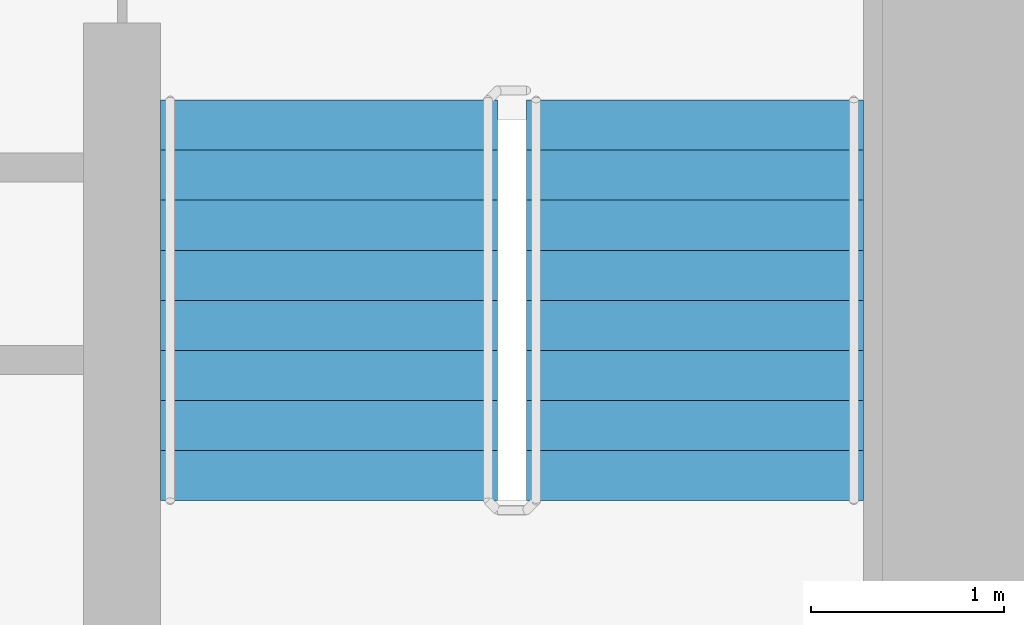
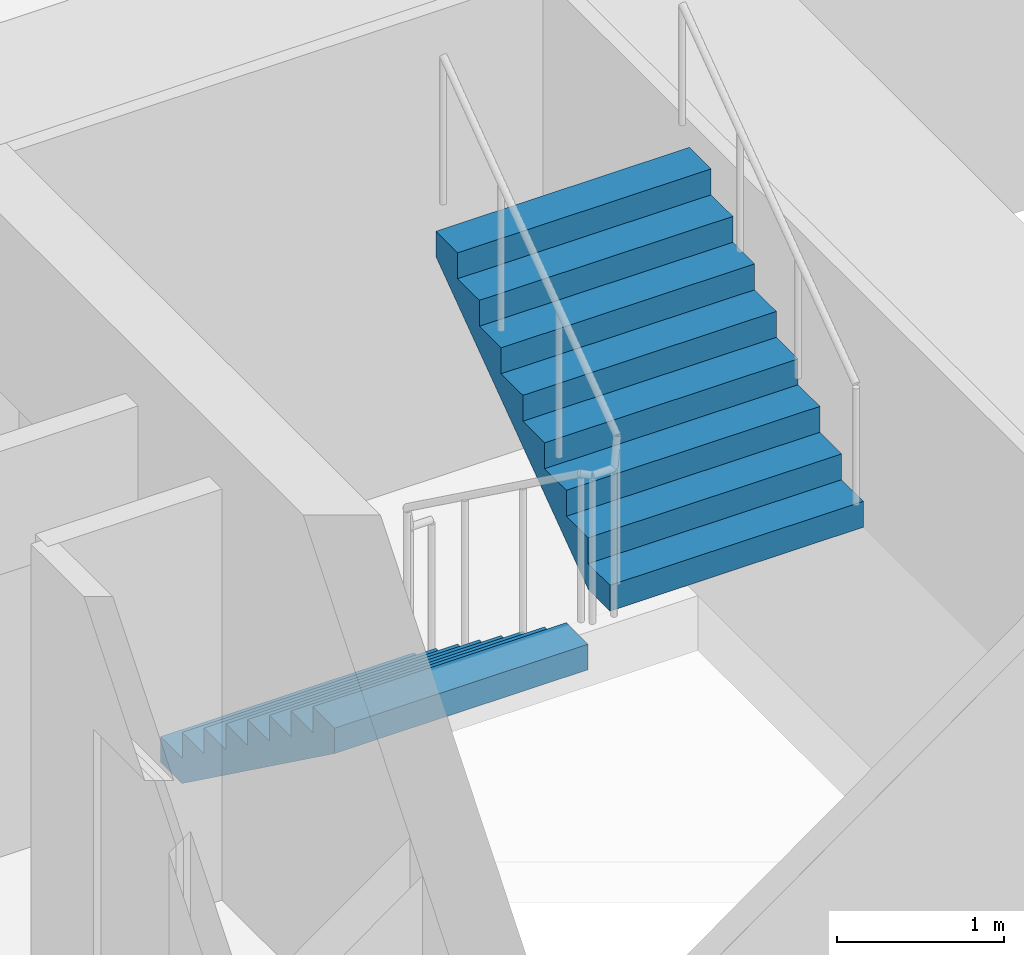
# One storey, part 19 of 22: 2 stair flights, 1 element without a shape of its own.
"""IFC4 building model written with IfcOpenShell, lengths in metres."""

from ifc_helpers import new_model, si_unit, direction, frame, origin, place, context, subcontext, project, spatial, faceted_brep, material, type_object, element, aggregate, save


model = new_model("IFC4")

# Units and contexts
model_context = context("Model", 3, precision=1e-05, world=origin(), true_north=direction((0.0, 1.0)))
body_context = subcontext(model_context, "Body", "Model", "MODEL_VIEW")
ifc_project = project(units=[si_unit("LENGTHUNIT", "METRE"), si_unit("AREAUNIT", "SQUARE_METRE"), si_unit("VOLUMEUNIT", "CUBIC_METRE"), si_unit("PLANEANGLEUNIT", "RADIAN"), si_unit("MASSUNIT", "GRAM", prefix="KILO")], contexts=[model_context])

# Site, building, storey
site_placement = place(None, origin())
site = spatial("IfcSite", under=ifc_project, at=site_placement, CompositionType="ELEMENT")
building_placement = place(site_placement, origin())
building = spatial("IfcBuilding", under=site, at=building_placement, Name="Ipe Terrace Towers", CompositionType="ELEMENT")
storey_placement = place(building_placement, frame((0.0, 0.0, 68.699951171875)))
storey = spatial("IfcBuildingStorey", under=building, at=storey_placement, Name="L18", CompositionType="ELEMENT", Elevation=68.699951171875)

# Stair, stair flights
ifc_material_1 = material(Name="Concrete C30/37", Category="concrete")
stair_type = type_object("IfcStairType", Name="Protected exit stair", PredefinedType="HALF_TURN_STAIR", material=ifc_material_1)
stair_placement = place(storey_placement, origin())
stair = element("IfcStair", 1, at=stair_placement, inside=storey, type_object=stair_type, Name="L18 Exit stair T2-C2", PredefinedType="HALF_TURN_STAIR")
ifc_material_2 = material(Name="Concrete C30/37", Category="concrete")
stair_flight_type = type_object("IfcStairFlightType", Name="Exit stair flight 1750", PredefinedType="STRAIGHT", material=ifc_material_2)
stair_flight_1_placement = place(storey_placement, frame((38.77490234375, -9.699951171875, 0.0), z_axis=(0.0, 0.0, 1.0), x_axis=(0.0, -1.0, 0.0)))
stair_flight_1 = element("IfcStairFlight", 2, at=stair_flight_1_placement, type_object=stair_flight_type, Name="T2-ST2 flight 1", NumberOfRisers=9, NumberOfTreads=8, PredefinedType="STRAIGHT", RiserHeight=0.188888889, TreadLength=0.26, context=body_context, shape_type="Brep", body=[
    faceted_brep([(0.255126953125, -0.875, 0.0), (2.080078125, -0.875, 1.325927734375), (2.080078125, -0.875, 1.51123046875), (1.820068359375, -0.875, 1.51123046875), (1.820068359375, -0.875, 1.322265625), (1.56005859375, -0.875, 1.322265625), (1.56005859375, -0.875, 1.13330078125), (1.300048828125, -0.875, 1.13330078125), (1.300048828125, -0.875, 0.9443359375), (1.0400390625, -0.875, 0.9443359375), (1.0400390625, -0.875, 0.755615234375), (0.780029296875, -0.875, 0.755615234375), (0.780029296875, -0.875, 0.566650390625), (0.52001953125, -0.875, 0.566650390625), (0.52001953125, -0.875, 0.377685546875), (0.260009765625, -0.875, 0.377685546875), (0.260009765625, -0.875, 0.18896484375), (0.0, -0.875, 0.18896484375), (0.0, -0.875, 0.0), (0.0, 0.875, 0.0), (0.0, 0.875, 0.18896484375), (0.260009765625, 0.875, 0.18896484375), (0.260009765625, 0.875, 0.377685546875), (0.52001953125, 0.875, 0.377685546875), (0.52001953125, 0.875, 0.566650390625), (0.780029296875, 0.875, 0.566650390625), (0.780029296875, 0.875, 0.755615234375), (1.0400390625, 0.875, 0.755615234375), (1.0400390625, 0.875, 0.9443359375), (1.300048828125, 0.875, 0.9443359375), (1.300048828125, 0.875, 1.13330078125), (1.56005859375, 0.875, 1.13330078125), (1.56005859375, 0.875, 1.322265625), (1.820068359375, 0.875, 1.322265625), (1.820068359375, 0.875, 1.51123046875), (2.080078125, 0.875, 1.51123046875), (2.080078125, 0.875, 1.325927734375), (0.255126953125, 0.875, 0.0), (0.0, -0.300048828125, 0.18896484375), (0.0, -0.1201171875, 0.18896484375), (0.0, -0.06005859375, 0.18896484375), (0.0, -0.030029296875, 0.18896484375), (0.0, -0.010009765625, 0.18896484375), (0.0, 0.0, 0.18896484375), (0.0, 0.010009765625, 0.18896484375), (0.0, 0.030029296875, 0.18896484375), (0.0, 0.06005859375, 0.18896484375), (0.0, 0.1201171875, 0.18896484375), (0.0, 0.300048828125, 0.18896484375), (0.0, 0.300048828125, 0.0), (0.0, 0.1201171875, 0.0), (0.0, 0.06005859375, 0.0), (0.0, 0.030029296875, 0.0), (0.0, 0.010009765625, 0.0), (0.0, 0.0, 0.0), (0.0, -0.010009765625, 0.0), (0.0, -0.030029296875, 0.0), (0.0, -0.06005859375, 0.0), (0.0, -0.1201171875, 0.0), (0.0, -0.300048828125, 0.0), (0.260009765625, -0.300048828125, 0.18896484375), (0.260009765625, -0.1201171875, 0.18896484375), (0.260009765625, -0.06005859375, 0.18896484375), (0.260009765625, -0.030029296875, 0.18896484375), (0.260009765625, -0.010009765625, 0.18896484375), (0.260009765625, 0.0, 0.18896484375), (0.260009765625, 0.010009765625, 0.18896484375), (0.260009765625, 0.030029296875, 0.18896484375), (0.260009765625, 0.06005859375, 0.18896484375), (0.260009765625, 0.1201171875, 0.18896484375), (0.260009765625, 0.300048828125, 0.18896484375), (0.260009765625, -0.300048828125, 0.377685546875), (0.260009765625, -0.1201171875, 0.377685546875), (0.260009765625, -0.06005859375, 0.377685546875), (0.260009765625, -0.030029296875, 0.377685546875), (0.260009765625, -0.010009765625, 0.377685546875), (0.260009765625, 0.0, 0.377685546875), (0.260009765625, 0.010009765625, 0.377685546875), (0.260009765625, 0.030029296875, 0.377685546875), (0.260009765625, 0.06005859375, 0.377685546875), (0.260009765625, 0.1201171875, 0.377685546875), (0.260009765625, 0.300048828125, 0.377685546875), (0.52001953125, -0.300048828125, 0.377685546875), (0.52001953125, -0.1201171875, 0.377685546875), (0.52001953125, -0.06005859375, 0.377685546875), (0.52001953125, -0.030029296875, 0.377685546875), (0.52001953125, -0.010009765625, 0.377685546875), (0.52001953125, 0.0, 0.377685546875), (0.52001953125, 0.010009765625, 0.377685546875), (0.52001953125, 0.030029296875, 0.377685546875), (0.52001953125, 0.06005859375, 0.377685546875), (0.52001953125, 0.1201171875, 0.377685546875), (0.52001953125, 0.300048828125, 0.377685546875), (0.52001953125, -0.300048828125, 0.566650390625), (0.52001953125, -0.1201171875, 0.566650390625), (0.52001953125, -0.06005859375, 0.566650390625), (0.52001953125, -0.030029296875, 0.566650390625), (0.52001953125, -0.010009765625, 0.566650390625), (0.52001953125, 0.0, 0.566650390625), (0.52001953125, 0.010009765625, 0.566650390625), (0.52001953125, 0.030029296875, 0.566650390625), (0.52001953125, 0.06005859375, 0.566650390625), (0.52001953125, 0.1201171875, 0.566650390625), (0.52001953125, 0.300048828125, 0.566650390625), (0.780029296875, -0.300048828125, 0.566650390625), (0.780029296875, -0.1201171875, 0.566650390625), (0.780029296875, -0.06005859375, 0.566650390625), (0.780029296875, -0.030029296875, 0.566650390625), (0.780029296875, -0.010009765625, 0.566650390625), (0.780029296875, 0.0, 0.566650390625), (0.780029296875, 0.010009765625, 0.566650390625), (0.780029296875, 0.030029296875, 0.566650390625), (0.780029296875, 0.06005859375, 0.566650390625), (0.780029296875, 0.1201171875, 0.566650390625), (0.780029296875, 0.300048828125, 0.566650390625), (0.780029296875, -0.300048828125, 0.755615234375), (0.780029296875, -0.1201171875, 0.755615234375), (0.780029296875, -0.06005859375, 0.755615234375), (0.780029296875, -0.030029296875, 0.755615234375), (0.780029296875, -0.010009765625, 0.755615234375), (0.780029296875, 0.0, 0.755615234375), (0.780029296875, 0.010009765625, 0.755615234375), (0.780029296875, 0.030029296875, 0.755615234375), (0.780029296875, 0.06005859375, 0.755615234375), (0.780029296875, 0.1201171875, 0.755615234375), (0.780029296875, 0.300048828125, 0.755615234375), (1.0400390625, -0.300048828125, 0.755615234375), (1.0400390625, -0.1201171875, 0.755615234375), (1.0400390625, -0.06005859375, 0.755615234375), (1.0400390625, -0.030029296875, 0.755615234375), (1.0400390625, -0.010009765625, 0.755615234375), (1.0400390625, 0.0, 0.755615234375), (1.0400390625, 0.010009765625, 0.755615234375), (1.0400390625, 0.030029296875, 0.755615234375), (1.0400390625, 0.06005859375, 0.755615234375), (1.0400390625, 0.1201171875, 0.755615234375), (1.0400390625, 0.300048828125, 0.755615234375), (1.0400390625, -0.300048828125, 0.9443359375), (1.0400390625, -0.1201171875, 0.9443359375), (1.0400390625, -0.06005859375, 0.9443359375), (1.0400390625, -0.030029296875, 0.9443359375), (1.0400390625, -0.010009765625, 0.9443359375), (1.0400390625, 0.0, 0.9443359375), (1.0400390625, 0.010009765625, 0.9443359375), (1.0400390625, 0.030029296875, 0.9443359375), (1.0400390625, 0.06005859375, 0.9443359375), (1.0400390625, 0.1201171875, 0.9443359375), (1.0400390625, 0.300048828125, 0.9443359375), (1.300048828125, -0.300048828125, 0.9443359375), (1.300048828125, -0.1201171875, 0.9443359375), (1.300048828125, -0.06005859375, 0.9443359375), (1.300048828125, -0.030029296875, 0.9443359375), (1.300048828125, -0.010009765625, 0.9443359375), (1.300048828125, 0.0, 0.9443359375), (1.300048828125, 0.010009765625, 0.9443359375), (1.300048828125, 0.030029296875, 0.9443359375), (1.300048828125, 0.06005859375, 0.9443359375), (1.300048828125, 0.1201171875, 0.9443359375), (1.300048828125, 0.300048828125, 0.9443359375), (1.300048828125, -0.300048828125, 1.13330078125), (1.300048828125, -0.1201171875, 1.13330078125), (1.300048828125, -0.06005859375, 1.13330078125), (1.300048828125, -0.030029296875, 1.13330078125), (1.300048828125, -0.010009765625, 1.13330078125), (1.300048828125, 0.0, 1.13330078125), (1.300048828125, 0.010009765625, 1.13330078125), (1.300048828125, 0.030029296875, 1.13330078125), (1.300048828125, 0.06005859375, 1.13330078125), (1.300048828125, 0.1201171875, 1.13330078125), (1.300048828125, 0.300048828125, 1.13330078125), (1.56005859375, -0.300048828125, 1.13330078125), (1.56005859375, -0.1201171875, 1.13330078125), (1.56005859375, -0.06005859375, 1.13330078125), (1.56005859375, -0.030029296875, 1.13330078125), (1.56005859375, -0.010009765625, 1.13330078125), (1.56005859375, 0.0, 1.13330078125), (1.56005859375, 0.010009765625, 1.13330078125), (1.56005859375, 0.030029296875, 1.13330078125), (1.56005859375, 0.06005859375, 1.13330078125), (1.56005859375, 0.1201171875, 1.13330078125), (1.56005859375, 0.300048828125, 1.13330078125), (1.56005859375, -0.300048828125, 1.322265625), (1.56005859375, -0.1201171875, 1.322265625), (1.56005859375, -0.06005859375, 1.322265625), (1.56005859375, -0.030029296875, 1.322265625), (1.56005859375, -0.010009765625, 1.322265625), (1.56005859375, 0.0, 1.322265625), (1.56005859375, 0.010009765625, 1.322265625), (1.56005859375, 0.030029296875, 1.322265625), (1.56005859375, 0.06005859375, 1.322265625), (1.56005859375, 0.1201171875, 1.322265625), (1.56005859375, 0.300048828125, 1.322265625), (1.820068359375, -0.300048828125, 1.322265625), (1.820068359375, -0.1201171875, 1.322265625), (1.820068359375, -0.06005859375, 1.322265625), (1.820068359375, -0.030029296875, 1.322265625), (1.820068359375, -0.010009765625, 1.322265625), (1.820068359375, 0.0, 1.322265625), (1.820068359375, 0.010009765625, 1.322265625), (1.820068359375, 0.030029296875, 1.322265625), (1.820068359375, 0.06005859375, 1.322265625), (1.820068359375, 0.1201171875, 1.322265625), (1.820068359375, 0.300048828125, 1.322265625), (1.820068359375, -0.300048828125, 1.51123046875), (1.820068359375, -0.1201171875, 1.51123046875), (1.820068359375, -0.06005859375, 1.51123046875), (1.820068359375, -0.030029296875, 1.51123046875), (1.820068359375, -0.010009765625, 1.51123046875), (1.820068359375, 0.0, 1.51123046875), (1.820068359375, 0.010009765625, 1.51123046875), (1.820068359375, 0.030029296875, 1.51123046875), (1.820068359375, 0.06005859375, 1.51123046875), (1.820068359375, 0.1201171875, 1.51123046875), (1.820068359375, 0.300048828125, 1.51123046875), (2.080078125, -0.300048828125, 1.51123046875), (2.080078125, -0.1201171875, 1.51123046875), (2.080078125, -0.06005859375, 1.51123046875), (2.080078125, -0.030029296875, 1.51123046875), (2.080078125, -0.010009765625, 1.51123046875), (2.080078125, 0.0, 1.51123046875), (2.080078125, 0.010009765625, 1.51123046875), (2.080078125, 0.030029296875, 1.51123046875), (2.080078125, 0.06005859375, 1.51123046875), (2.080078125, 0.1201171875, 1.51123046875), (2.080078125, 0.300048828125, 1.51123046875), (2.080078125, -0.300048828125, 1.325927734375), (2.080078125, -0.1201171875, 1.325927734375), (2.080078125, -0.06005859375, 1.325927734375), (2.080078125, -0.030029296875, 1.325927734375), (2.080078125, -0.010009765625, 1.325927734375), (2.080078125, 0.0, 1.325927734375), (2.080078125, 0.010009765625, 1.325927734375), (2.080078125, 0.030029296875, 1.325927734375), (2.080078125, 0.06005859375, 1.325927734375), (2.080078125, 0.1201171875, 1.325927734375), (2.080078125, 0.300048828125, 1.325927734375), (0.255126953125, -0.300048828125, 0.0), (0.255126953125, -0.1201171875, 0.0), (0.255126953125, -0.06005859375, 0.0), (0.255126953125, -0.030029296875, 0.0), (0.255126953125, -0.010009765625, 0.0), (0.255126953125, 0.0, 0.0), (0.255126953125, 0.010009765625, 0.0), (0.255126953125, 0.030029296875, 0.0), (0.255126953125, 0.06005859375, 0.0), (0.255126953125, 0.1201171875, 0.0), (0.255126953125, 0.300048828125, 0.0)], [[[0, 1, 2, 3, 4, 5, 6, 7, 8, 9, 10, 11, 12, 13, 14, 15, 16, 17, 18]], [[19, 20, 21, 22, 23, 24, 25, 26, 27, 28, 29, 30, 31, 32, 33, 34, 35, 36, 37]], [[17, 38, 39, 40, 41, 42, 43, 44, 45, 46, 47, 48, 20, 19, 49, 50, 51, 52, 53, 54, 55, 56, 57, 58, 59, 18]], [[16, 60, 61, 62, 63, 64, 65, 66, 67, 68, 69, 70, 21, 20, 48, 47, 46, 45, 44, 43, 42, 41, 40, 39, 38, 17]], [[15, 71, 72, 73, 74, 75, 76, 77, 78, 79, 80, 81, 22, 21, 70, 69, 68, 67, 66, 65, 64, 63, 62, 61, 60, 16]], [[14, 82, 83, 84, 85, 86, 87, 88, 89, 90, 91, 92, 23, 22, 81, 80, 79, 78, 77, 76, 75, 74, 73, 72, 71, 15]], [[13, 93, 94, 95, 96, 97, 98, 99, 100, 101, 102, 103, 24, 23, 92, 91, 90, 89, 88, 87, 86, 85, 84, 83, 82, 14]], [[12, 104, 105, 106, 107, 108, 109, 110, 111, 112, 113, 114, 25, 24, 103, 102, 101, 100, 99, 98, 97, 96, 95, 94, 93, 13]], [[11, 115, 116, 117, 118, 119, 120, 121, 122, 123, 124, 125, 26, 25, 114, 113, 112, 111, 110, 109, 108, 107, 106, 105, 104, 12]], [[10, 126, 127, 128, 129, 130, 131, 132, 133, 134, 135, 136, 27, 26, 125, 124, 123, 122, 121, 120, 119, 118, 117, 116, 115, 11]], [[9, 137, 138, 139, 140, 141, 142, 143, 144, 145, 146, 147, 28, 27, 136, 135, 134, 133, 132, 131, 130, 129, 128, 127, 126, 10]], [[8, 148, 149, 150, 151, 152, 153, 154, 155, 156, 157, 158, 29, 28, 147, 146, 145, 144, 143, 142, 141, 140, 139, 138, 137, 9]], [[7, 159, 160, 161, 162, 163, 164, 165, 166, 167, 168, 169, 30, 29, 158, 157, 156, 155, 154, 153, 152, 151, 150, 149, 148, 8]], [[6, 170, 171, 172, 173, 174, 175, 176, 177, 178, 179, 180, 31, 30, 169, 168, 167, 166, 165, 164, 163, 162, 161, 160, 159, 7]], [[5, 181, 182, 183, 184, 185, 186, 187, 188, 189, 190, 191, 32, 31, 180, 179, 178, 177, 176, 175, 174, 173, 172, 171, 170, 6]], [[4, 192, 193, 194, 195, 196, 197, 198, 199, 200, 201, 202, 33, 32, 191, 190, 189, 188, 187, 186, 185, 184, 183, 182, 181, 5]], [[3, 203, 204, 205, 206, 207, 208, 209, 210, 211, 212, 213, 34, 33, 202, 201, 200, 199, 198, 197, 196, 195, 194, 193, 192, 4]], [[2, 214, 215, 216, 217, 218, 219, 220, 221, 222, 223, 224, 35, 34, 213, 212, 211, 210, 209, 208, 207, 206, 205, 204, 203, 3]], [[1, 225, 226, 227, 228, 229, 230, 231, 232, 233, 234, 235, 36, 35, 224, 223, 222, 221, 220, 219, 218, 217, 216, 215, 214, 2]], [[0, 236, 237, 238, 239, 240, 241, 242, 243, 244, 245, 246, 37, 36, 235, 234, 233, 232, 231, 230, 229, 228, 227, 226, 225, 1]], [[18, 59, 58, 57, 56, 55, 54, 53, 52, 51, 50, 49, 19, 37, 246, 245, 244, 243, 242, 241, 240, 239, 238, 237, 236, 0]]]),
])
stair_flight_2_placement = place(storey_placement, frame((40.675048828125, -11.780029296875, 1.699951171875), z_axis=(0.0, 0.0, 1.0), x_axis=(0.0, 1.0, 0.0)))
stair_flight_2 = element("IfcStairFlight", 3, at=stair_flight_2_placement, type_object=stair_flight_type, Name="T2-ST2 flight 2", NumberOfRisers=9, NumberOfTreads=8, PredefinedType="STRAIGHT", RiserHeight=0.188888889, TreadLength=0.26, context=body_context, shape_type="Brep", body=[
    faceted_brep([(0.255126953125, -0.875, 0.0), (2.080078125, -0.875, 1.325927734375), (2.080078125, -0.875, 1.51123046875), (1.820068359375, -0.875, 1.51123046875), (1.820068359375, -0.875, 1.322265625), (1.56005859375, -0.875, 1.322265625), (1.56005859375, -0.875, 1.13330078125), (1.300048828125, -0.875, 1.13330078125), (1.300048828125, -0.875, 0.9443359375), (1.0400390625, -0.875, 0.9443359375), (1.0400390625, -0.875, 0.755615234375), (0.780029296875, -0.875, 0.755615234375), (0.780029296875, -0.875, 0.566650390625), (0.52001953125, -0.875, 0.566650390625), (0.52001953125, -0.875, 0.377685546875), (0.260009765625, -0.875, 0.377685546875), (0.260009765625, -0.875, 0.18896484375), (0.0, -0.875, 0.18896484375), (0.0, -0.875, 0.0), (0.0, 0.875, 0.0), (0.0, 0.875, 0.18896484375), (0.260009765625, 0.875, 0.18896484375), (0.260009765625, 0.875, 0.377685546875), (0.52001953125, 0.875, 0.377685546875), (0.52001953125, 0.875, 0.566650390625), (0.780029296875, 0.875, 0.566650390625), (0.780029296875, 0.875, 0.755615234375), (1.0400390625, 0.875, 0.755615234375), (1.0400390625, 0.875, 0.9443359375), (1.300048828125, 0.875, 0.9443359375), (1.300048828125, 0.875, 1.13330078125), (1.56005859375, 0.875, 1.13330078125), (1.56005859375, 0.875, 1.322265625), (1.820068359375, 0.875, 1.322265625), (1.820068359375, 0.875, 1.51123046875), (2.080078125, 0.875, 1.51123046875), (2.080078125, 0.875, 1.325927734375), (0.255126953125, 0.875, 0.0), (0.0, -0.300048828125, 0.18896484375), (0.0, -0.1201171875, 0.18896484375), (0.0, -0.06005859375, 0.18896484375), (0.0, -0.030029296875, 0.18896484375), (0.0, -0.010009765625, 0.18896484375), (0.0, 0.0, 0.18896484375), (0.0, 0.010009765625, 0.18896484375), (0.0, 0.030029296875, 0.18896484375), (0.0, 0.06005859375, 0.18896484375), (0.0, 0.1201171875, 0.18896484375), (0.0, 0.300048828125, 0.18896484375), (0.0, 0.300048828125, 0.0), (0.0, 0.1201171875, 0.0), (0.0, 0.06005859375, 0.0), (0.0, 0.030029296875, 0.0), (0.0, 0.010009765625, 0.0), (0.0, 0.0, 0.0), (0.0, -0.010009765625, 0.0), (0.0, -0.030029296875, 0.0), (0.0, -0.06005859375, 0.0), (0.0, -0.1201171875, 0.0), (0.0, -0.300048828125, 0.0), (0.260009765625, -0.300048828125, 0.18896484375), (0.260009765625, -0.1201171875, 0.18896484375), (0.260009765625, -0.06005859375, 0.18896484375), (0.260009765625, -0.030029296875, 0.18896484375), (0.260009765625, -0.010009765625, 0.18896484375), (0.260009765625, 0.0, 0.18896484375), (0.260009765625, 0.010009765625, 0.18896484375), (0.260009765625, 0.030029296875, 0.18896484375), (0.260009765625, 0.06005859375, 0.18896484375), (0.260009765625, 0.1201171875, 0.18896484375), (0.260009765625, 0.300048828125, 0.18896484375), (0.260009765625, -0.300048828125, 0.377685546875), (0.260009765625, -0.1201171875, 0.377685546875), (0.260009765625, -0.06005859375, 0.377685546875), (0.260009765625, -0.030029296875, 0.377685546875), (0.260009765625, -0.010009765625, 0.377685546875), (0.260009765625, 0.0, 0.377685546875), (0.260009765625, 0.010009765625, 0.377685546875), (0.260009765625, 0.030029296875, 0.377685546875), (0.260009765625, 0.06005859375, 0.377685546875), (0.260009765625, 0.1201171875, 0.377685546875), (0.260009765625, 0.300048828125, 0.377685546875), (0.52001953125, -0.300048828125, 0.377685546875), (0.52001953125, -0.1201171875, 0.377685546875), (0.52001953125, -0.06005859375, 0.377685546875), (0.52001953125, -0.030029296875, 0.377685546875), (0.52001953125, -0.010009765625, 0.377685546875), (0.52001953125, 0.0, 0.377685546875), (0.52001953125, 0.010009765625, 0.377685546875), (0.52001953125, 0.030029296875, 0.377685546875), (0.52001953125, 0.06005859375, 0.377685546875), (0.52001953125, 0.1201171875, 0.377685546875), (0.52001953125, 0.300048828125, 0.377685546875), (0.52001953125, -0.300048828125, 0.566650390625), (0.52001953125, -0.1201171875, 0.566650390625), (0.52001953125, -0.06005859375, 0.566650390625), (0.52001953125, -0.030029296875, 0.566650390625), (0.52001953125, -0.010009765625, 0.566650390625), (0.52001953125, 0.0, 0.566650390625), (0.52001953125, 0.010009765625, 0.566650390625), (0.52001953125, 0.030029296875, 0.566650390625), (0.52001953125, 0.06005859375, 0.566650390625), (0.52001953125, 0.1201171875, 0.566650390625), (0.52001953125, 0.300048828125, 0.566650390625), (0.780029296875, -0.300048828125, 0.566650390625), (0.780029296875, -0.1201171875, 0.566650390625), (0.780029296875, -0.06005859375, 0.566650390625), (0.780029296875, -0.030029296875, 0.566650390625), (0.780029296875, -0.010009765625, 0.566650390625), (0.780029296875, 0.0, 0.566650390625), (0.780029296875, 0.010009765625, 0.566650390625), (0.780029296875, 0.030029296875, 0.566650390625), (0.780029296875, 0.06005859375, 0.566650390625), (0.780029296875, 0.1201171875, 0.566650390625), (0.780029296875, 0.300048828125, 0.566650390625), (0.780029296875, -0.300048828125, 0.755615234375), (0.780029296875, -0.1201171875, 0.755615234375), (0.780029296875, -0.06005859375, 0.755615234375), (0.780029296875, -0.030029296875, 0.755615234375), (0.780029296875, -0.010009765625, 0.755615234375), (0.780029296875, 0.0, 0.755615234375), (0.780029296875, 0.010009765625, 0.755615234375), (0.780029296875, 0.030029296875, 0.755615234375), (0.780029296875, 0.06005859375, 0.755615234375), (0.780029296875, 0.1201171875, 0.755615234375), (0.780029296875, 0.300048828125, 0.755615234375), (1.0400390625, -0.300048828125, 0.755615234375), (1.0400390625, -0.1201171875, 0.755615234375), (1.0400390625, -0.06005859375, 0.755615234375), (1.0400390625, -0.030029296875, 0.755615234375), (1.0400390625, -0.010009765625, 0.755615234375), (1.0400390625, 0.0, 0.755615234375), (1.0400390625, 0.010009765625, 0.755615234375), (1.0400390625, 0.030029296875, 0.755615234375), (1.0400390625, 0.06005859375, 0.755615234375), (1.0400390625, 0.1201171875, 0.755615234375), (1.0400390625, 0.300048828125, 0.755615234375), (1.0400390625, -0.300048828125, 0.9443359375), (1.0400390625, -0.1201171875, 0.9443359375), (1.0400390625, -0.06005859375, 0.9443359375), (1.0400390625, -0.030029296875, 0.9443359375), (1.0400390625, -0.010009765625, 0.9443359375), (1.0400390625, 0.0, 0.9443359375), (1.0400390625, 0.010009765625, 0.9443359375), (1.0400390625, 0.030029296875, 0.9443359375), (1.0400390625, 0.06005859375, 0.9443359375), (1.0400390625, 0.1201171875, 0.9443359375), (1.0400390625, 0.300048828125, 0.9443359375), (1.300048828125, -0.300048828125, 0.9443359375), (1.300048828125, -0.1201171875, 0.9443359375), (1.300048828125, -0.06005859375, 0.9443359375), (1.300048828125, -0.030029296875, 0.9443359375), (1.300048828125, -0.010009765625, 0.9443359375), (1.300048828125, 0.0, 0.9443359375), (1.300048828125, 0.010009765625, 0.9443359375), (1.300048828125, 0.030029296875, 0.9443359375), (1.300048828125, 0.06005859375, 0.9443359375), (1.300048828125, 0.1201171875, 0.9443359375), (1.300048828125, 0.300048828125, 0.9443359375), (1.300048828125, -0.300048828125, 1.13330078125), (1.300048828125, -0.1201171875, 1.13330078125), (1.300048828125, -0.06005859375, 1.13330078125), (1.300048828125, -0.030029296875, 1.13330078125), (1.300048828125, -0.010009765625, 1.13330078125), (1.300048828125, 0.0, 1.13330078125), (1.300048828125, 0.010009765625, 1.13330078125), (1.300048828125, 0.030029296875, 1.13330078125), (1.300048828125, 0.06005859375, 1.13330078125), (1.300048828125, 0.1201171875, 1.13330078125), (1.300048828125, 0.300048828125, 1.13330078125), (1.56005859375, -0.300048828125, 1.13330078125), (1.56005859375, -0.1201171875, 1.13330078125), (1.56005859375, -0.06005859375, 1.13330078125), (1.56005859375, -0.030029296875, 1.13330078125), (1.56005859375, -0.010009765625, 1.13330078125), (1.56005859375, 0.0, 1.13330078125), (1.56005859375, 0.010009765625, 1.13330078125), (1.56005859375, 0.030029296875, 1.13330078125), (1.56005859375, 0.06005859375, 1.13330078125), (1.56005859375, 0.1201171875, 1.13330078125), (1.56005859375, 0.300048828125, 1.13330078125), (1.56005859375, -0.300048828125, 1.322265625), (1.56005859375, -0.1201171875, 1.322265625), (1.56005859375, -0.06005859375, 1.322265625), (1.56005859375, -0.030029296875, 1.322265625), (1.56005859375, -0.010009765625, 1.322265625), (1.56005859375, 0.0, 1.322265625), (1.56005859375, 0.010009765625, 1.322265625), (1.56005859375, 0.030029296875, 1.322265625), (1.56005859375, 0.06005859375, 1.322265625), (1.56005859375, 0.1201171875, 1.322265625), (1.56005859375, 0.300048828125, 1.322265625), (1.820068359375, -0.300048828125, 1.322265625), (1.820068359375, -0.1201171875, 1.322265625), (1.820068359375, -0.06005859375, 1.322265625), (1.820068359375, -0.030029296875, 1.322265625), (1.820068359375, -0.010009765625, 1.322265625), (1.820068359375, 0.0, 1.322265625), (1.820068359375, 0.010009765625, 1.322265625), (1.820068359375, 0.030029296875, 1.322265625), (1.820068359375, 0.06005859375, 1.322265625), (1.820068359375, 0.1201171875, 1.322265625), (1.820068359375, 0.300048828125, 1.322265625), (1.820068359375, -0.300048828125, 1.51123046875), (1.820068359375, -0.1201171875, 1.51123046875), (1.820068359375, -0.06005859375, 1.51123046875), (1.820068359375, -0.030029296875, 1.51123046875), (1.820068359375, -0.010009765625, 1.51123046875), (1.820068359375, 0.0, 1.51123046875), (1.820068359375, 0.010009765625, 1.51123046875), (1.820068359375, 0.030029296875, 1.51123046875), (1.820068359375, 0.06005859375, 1.51123046875), (1.820068359375, 0.1201171875, 1.51123046875), (1.820068359375, 0.300048828125, 1.51123046875), (2.080078125, -0.300048828125, 1.51123046875), (2.080078125, -0.1201171875, 1.51123046875), (2.080078125, -0.06005859375, 1.51123046875), (2.080078125, -0.030029296875, 1.51123046875), (2.080078125, -0.010009765625, 1.51123046875), (2.080078125, 0.0, 1.51123046875), (2.080078125, 0.010009765625, 1.51123046875), (2.080078125, 0.030029296875, 1.51123046875), (2.080078125, 0.06005859375, 1.51123046875), (2.080078125, 0.1201171875, 1.51123046875), (2.080078125, 0.300048828125, 1.51123046875), (2.080078125, -0.300048828125, 1.325927734375), (2.080078125, -0.1201171875, 1.325927734375), (2.080078125, -0.06005859375, 1.325927734375), (2.080078125, -0.030029296875, 1.325927734375), (2.080078125, -0.010009765625, 1.325927734375), (2.080078125, 0.0, 1.325927734375), (2.080078125, 0.010009765625, 1.325927734375), (2.080078125, 0.030029296875, 1.325927734375), (2.080078125, 0.06005859375, 1.325927734375), (2.080078125, 0.1201171875, 1.325927734375), (2.080078125, 0.300048828125, 1.325927734375), (0.255126953125, -0.300048828125, 0.0), (0.255126953125, -0.1201171875, 0.0), (0.255126953125, -0.06005859375, 0.0), (0.255126953125, -0.030029296875, 0.0), (0.255126953125, -0.010009765625, 0.0), (0.255126953125, 0.0, 0.0), (0.255126953125, 0.010009765625, 0.0), (0.255126953125, 0.030029296875, 0.0), (0.255126953125, 0.06005859375, 0.0), (0.255126953125, 0.1201171875, 0.0), (0.255126953125, 0.300048828125, 0.0)], [[[0, 1, 2, 3, 4, 5, 6, 7, 8, 9, 10, 11, 12, 13, 14, 15, 16, 17, 18]], [[19, 20, 21, 22, 23, 24, 25, 26, 27, 28, 29, 30, 31, 32, 33, 34, 35, 36, 37]], [[17, 38, 39, 40, 41, 42, 43, 44, 45, 46, 47, 48, 20, 19, 49, 50, 51, 52, 53, 54, 55, 56, 57, 58, 59, 18]], [[16, 60, 61, 62, 63, 64, 65, 66, 67, 68, 69, 70, 21, 20, 48, 47, 46, 45, 44, 43, 42, 41, 40, 39, 38, 17]], [[15, 71, 72, 73, 74, 75, 76, 77, 78, 79, 80, 81, 22, 21, 70, 69, 68, 67, 66, 65, 64, 63, 62, 61, 60, 16]], [[14, 82, 83, 84, 85, 86, 87, 88, 89, 90, 91, 92, 23, 22, 81, 80, 79, 78, 77, 76, 75, 74, 73, 72, 71, 15]], [[13, 93, 94, 95, 96, 97, 98, 99, 100, 101, 102, 103, 24, 23, 92, 91, 90, 89, 88, 87, 86, 85, 84, 83, 82, 14]], [[12, 104, 105, 106, 107, 108, 109, 110, 111, 112, 113, 114, 25, 24, 103, 102, 101, 100, 99, 98, 97, 96, 95, 94, 93, 13]], [[11, 115, 116, 117, 118, 119, 120, 121, 122, 123, 124, 125, 26, 25, 114, 113, 112, 111, 110, 109, 108, 107, 106, 105, 104, 12]], [[10, 126, 127, 128, 129, 130, 131, 132, 133, 134, 135, 136, 27, 26, 125, 124, 123, 122, 121, 120, 119, 118, 117, 116, 115, 11]], [[9, 137, 138, 139, 140, 141, 142, 143, 144, 145, 146, 147, 28, 27, 136, 135, 134, 133, 132, 131, 130, 129, 128, 127, 126, 10]], [[8, 148, 149, 150, 151, 152, 153, 154, 155, 156, 157, 158, 29, 28, 147, 146, 145, 144, 143, 142, 141, 140, 139, 138, 137, 9]], [[7, 159, 160, 161, 162, 163, 164, 165, 166, 167, 168, 169, 30, 29, 158, 157, 156, 155, 154, 153, 152, 151, 150, 149, 148, 8]], [[6, 170, 171, 172, 173, 174, 175, 176, 177, 178, 179, 180, 31, 30, 169, 168, 167, 166, 165, 164, 163, 162, 161, 160, 159, 7]], [[5, 181, 182, 183, 184, 185, 186, 187, 188, 189, 190, 191, 32, 31, 180, 179, 178, 177, 176, 175, 174, 173, 172, 171, 170, 6]], [[4, 192, 193, 194, 195, 196, 197, 198, 199, 200, 201, 202, 33, 32, 191, 190, 189, 188, 187, 186, 185, 184, 183, 182, 181, 5]], [[3, 203, 204, 205, 206, 207, 208, 209, 210, 211, 212, 213, 34, 33, 202, 201, 200, 199, 198, 197, 196, 195, 194, 193, 192, 4]], [[2, 214, 215, 216, 217, 218, 219, 220, 221, 222, 223, 224, 35, 34, 213, 212, 211, 210, 209, 208, 207, 206, 205, 204, 203, 3]], [[1, 225, 226, 227, 228, 229, 230, 231, 232, 233, 234, 235, 36, 35, 224, 223, 222, 221, 220, 219, 218, 217, 216, 215, 214, 2]], [[0, 236, 237, 238, 239, 240, 241, 242, 243, 244, 245, 246, 37, 36, 235, 234, 233, 232, 231, 230, 229, 228, 227, 226, 225, 1]], [[18, 59, 58, 57, 56, 55, 54, 53, 52, 51, 50, 49, 19, 37, 246, 245, 244, 243, 242, 241, 240, 239, 238, 237, 236, 0]]]),
])
aggregate(stair, [stair_flight_1, stair_flight_2])

save(model, "model.ifc")
